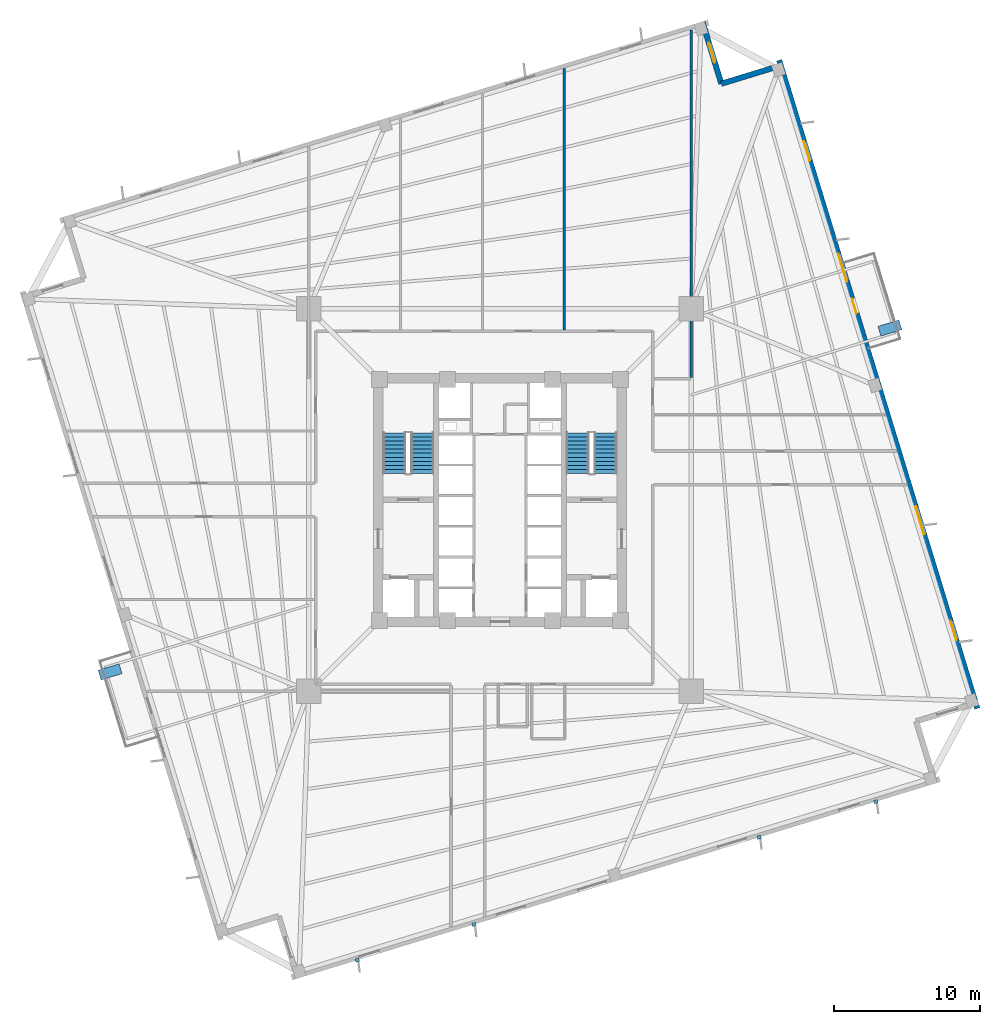
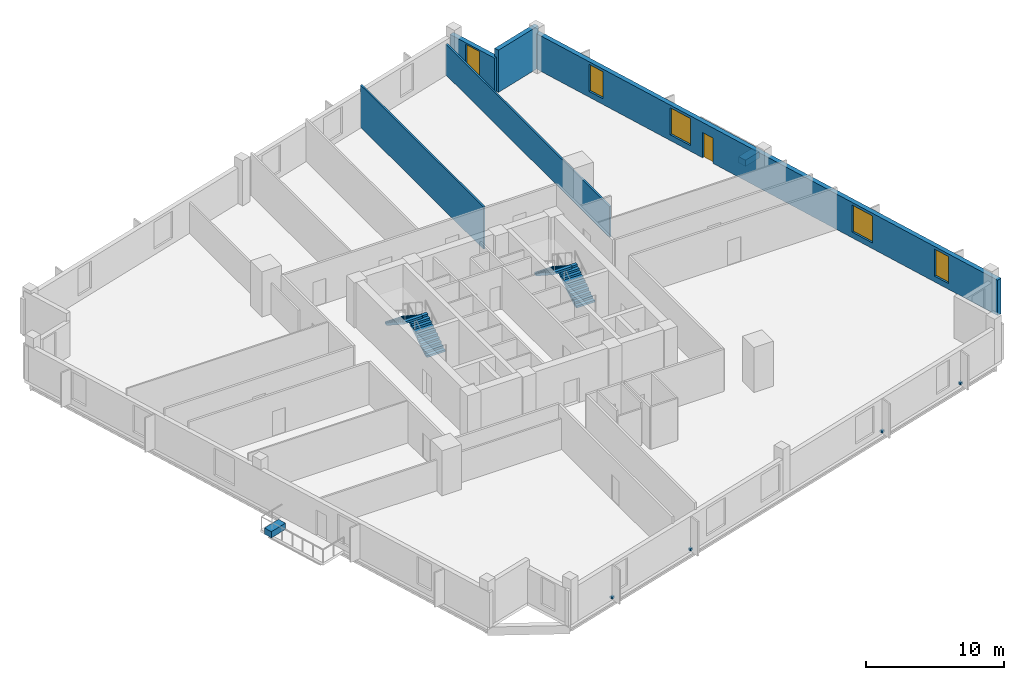
# One storey, part 6 of 9: 6 discrete accessories, 5 walls, 5 windows, 4 stair flights, 1 door, 6 openings, 2 elements without a shape of their own.
"""IFC4 building model written with IfcOpenShell, lengths in metres."""

from ifc_helpers import new_model, si_unit, direction, frame, frame_2d, origin, origin_2d, place, context, subcontext, project, spatial, polyline, rectangle, outline, extrude, source, transform, mapped, material, layer, layer_set, type_object, element, fill, aggregate, save


model = new_model("IFC4")

# Units and contexts
model_context = context("Model", 3, precision=1e-05, world=origin(), true_north=direction((0.0, 1.0)))
body_context = subcontext(model_context, "Body", "Model", "MODEL_VIEW")
ifc_project = project(units=[si_unit("LENGTHUNIT", "METRE"), si_unit("AREAUNIT", "SQUARE_METRE"), si_unit("VOLUMEUNIT", "CUBIC_METRE"), si_unit("PLANEANGLEUNIT", "RADIAN"), si_unit("MASSUNIT", "GRAM", prefix="KILO"), si_unit("THERMODYNAMICTEMPERATUREUNIT", "KELVIN")], contexts=[model_context])

# Site, building, storey
site_placement = place(None, origin())
site = spatial("IfcSite", under=ifc_project, at=site_placement, CompositionType="ELEMENT")
building_placement = place(site_placement, origin())
building = spatial("IfcBuilding", under=site, at=building_placement, Name="Kosmvard Interchange Tower", CompositionType="ELEMENT")
storey_placement = place(building_placement, frame((0.0, 0.0, 83.199951171875)))
storey = spatial("IfcBuildingStorey", under=building, at=storey_placement, Name="L19", CompositionType="ELEMENT", Elevation=83.199951171875)

# Walls
ifc_material_1 = material(Name="Acoustic gypsum partition system")
ifc_layer_1 = layer(ifc_material_1, 0.14990234375, Name="Acoustic gypsum partition system")
ifc_layer_set_1 = layer_set([ifc_layer_1], Name="Acoustic gypsum partition system")
wall_type_1 = type_object("IfcWallType", Name="Acoustic Suite & Meeting Partition 150", PredefinedType="PARTITIONING", material=ifc_layer_set_1)
wall_1_placement = place(storey_placement, frame((4.39990234375, 11.64501953125, 0.0), z_axis=(0.0, 0.0, 1.0), x_axis=(0.0, 1.0, 0.0)))
element("IfcWall", 1, at=wall_1_placement, inside=storey, type_object=wall_type_1, Name="L19 Room Partition 05.1", PredefinedType="PARTITIONING", context=body_context, shape_type="SweptSolid", body=[
    extrude(rectangle(XDim=17.865966796875, YDim=0.14990234375, at=frame_2d((8.93310546875, 0.0))), origin(), (0.0, 0.0, 1.0), 3.739990234375),
])
wall_2_placement = place(storey_placement, frame((13.0810546875, 8.375, 0.0), z_axis=(0.0, 0.0, 1.0), x_axis=(0.0, 1.0, 0.0)))
element("IfcWall", 2, at=wall_2_placement, inside=storey, type_object=wall_type_1, Name="L19 Room Partition 07.1", PredefinedType="PARTITIONING", context=body_context, shape_type="SweptSolid", body=[
    extrude(rectangle(XDim=23.7900390625, YDim=0.14990234375, at=frame_2d((11.89501953125, 0.0))), origin(), (0.0, 0.0, 1.0), 2.73193359375),
])

# Wall, openings, door, windows
ifc_material_2 = material(Name="Precast concrete C45/55", Category="concrete")
ifc_layer_2 = layer(ifc_material_2, 0.3798828125, Name="Precast concrete C45/55")
ifc_layer_set_2 = layer_set([ifc_layer_2], Name="Precast concrete C45/55")
wall_type_2 = type_object("IfcWallType", Name="Lower Tower Precast Pier Wall 380 C45/55", PredefinedType="STANDARD", material=ifc_layer_set_2)
wall_3_placement = place(storey_placement, frame((32.65771484375, -14.26513671875, 0.0), z_axis=(0.0, 0.0, 1.0), x_axis=(-0.292373127906, 0.956304320851, 0.0)))
wall_3 = element("IfcWall", 3, at=wall_3_placement, inside=storey, type_object=wall_type_2, Name="L19 Precast Facade Wall F-E", PredefinedType="STANDARD", context=body_context, shape_type="SweptSolid", body=[
    extrude(rectangle(XDim=46.380126953125, YDim=0.3798828125, at=frame_2d((23.18994140625, 0.0))), origin(), (0.0, 0.0, 1.0), 3.14013671875),
])
opening_1_placement = place(wall_3_placement, frame((28.264892578125, 0.0, 0.0)))
opening_1 = element("IfcOpeningElement", 4, at=opening_1_placement, cuts=wall_3, Name="Opening L19-BDE", PredefinedType="OPENING", context=body_context, shape_type="SweptSolid", body=[
    extrude(rectangle(XDim=1.050048828125, YDim=2.25, at=frame_2d((0.52490234375, 1.125))), frame((0.0, 0.199951171875, 0.0), z_axis=(0.0, -1.0, 0.0), x_axis=(1.0, 0.0, 0.0)), (0.0, 0.0, 1.0), 0.39990234375),
])
opening_2_placement = place(wall_3_placement, frame((4.865478515625, 0.0, 0.510009765625)))
opening_2 = element("IfcOpeningElement", 5, at=opening_2_placement, cuts=wall_3, Name="Opening L19-W06", PredefinedType="OPENING", context=body_context, shape_type="SweptSolid", body=[
    extrude(rectangle(XDim=1.39990234375, YDim=2.39990234375, at=frame_2d((0.699951171875, 1.199951171875))), frame((0.0, 0.199951171875, 0.0), z_axis=(0.0, -1.0, 0.0), x_axis=(1.0, 0.0, 0.0)), (0.0, 0.0, 1.0), 0.39990234375),
])
opening_3_placement = place(wall_3_placement, frame((12.4501953125, 0.0, 0.510009765625)))
opening_3 = element("IfcOpeningElement", 6, at=opening_3_placement, cuts=wall_3, Name="Opening L19-W07", PredefinedType="OPENING", context=body_context, shape_type="SweptSolid", body=[
    extrude(rectangle(XDim=2.0, YDim=2.39990234375, at=frame_2d((1.0, 1.199951171875))), frame((0.0, 0.199951171875, 0.0), z_axis=(0.0, -1.0, 0.0), x_axis=(1.0, 0.0, 0.0)), (0.0, 0.0, 1.0), 0.39990234375),
])
opening_4_placement = place(wall_3_placement, frame((30.538330078125, 0.0, 0.510009765625)))
opening_4 = element("IfcOpeningElement", 7, at=opening_4_placement, cuts=wall_3, Name="Opening L19-W08", PredefinedType="OPENING", context=body_context, shape_type="SweptSolid", body=[
    extrude(rectangle(XDim=2.0, YDim=2.39990234375, at=frame_2d((1.0, 1.199951171875))), frame((0.0, 0.199951171875, 0.0), z_axis=(0.0, -1.0, 0.0), x_axis=(1.0, 0.0, 0.0)), (0.0, 0.0, 1.0), 0.39990234375),
])
opening_5_placement = place(wall_3_placement, frame((39.186767578125, 0.0, 0.510009765625)))
opening_5 = element("IfcOpeningElement", 8, at=opening_5_placement, cuts=wall_3, Name="Opening L19-W09", PredefinedType="OPENING", context=body_context, shape_type="SweptSolid", body=[
    extrude(rectangle(XDim=1.39990234375, YDim=2.39990234375, at=frame_2d((0.699951171875, 1.199951171875))), frame((0.0, 0.199951171875, 0.0), z_axis=(0.0, -1.0, 0.0), x_axis=(1.0, 0.0, 0.0)), (0.0, 0.0, 1.0), 0.39990234375),
])
ifc_material_3 = material(Name="Anodised aluminium and safety glass", Category="aluminium")
door_type = type_object("IfcDoorType", Name="Tree-Balcony Glazed Door 1050x2250", OperationType="NOTDEFINED", PredefinedType="DOOR", material=ifc_material_3)
shared_shape_1 = source(origin(), body_context, "Body", "SweptSolid", [
    extrude(rectangle(XDim=1.050048828125, YDim=2.25, at=frame_2d((0.52490234375, 1.125))), frame((0.0, 0.02490234375, 0.0), z_axis=(0.0, -1.0, 0.0), x_axis=(1.0, 0.0, 0.0)), (0.0, 0.0, 1.0), 0.050048828125),
])
door_placement = place(opening_1_placement, origin())
door = element("IfcDoor", 9, at=door_placement, inside=storey, type_object=door_type, Name="L19 Tree-Balcony Door BAL-L19-E", OperationType="SINGLE_SWING_RIGHT", OverallHeight=2.25, OverallWidth=1.050048828125, PredefinedType="DOOR", context=body_context, shape_type="MappedRepresentation", body=[
    mapped(shared_shape_1, transform((0.0, 0.0, 0.0), scale=1.0)),
])
fill(opening_1, door)
ifc_material_4 = material(Name="Low-E solar-control double glazing", Category="glass")
window_type_1 = type_object("IfcWindowType", Name="Notched Corner Feature Window 1400x2400", PartitioningType="SINGLE_PANEL", PredefinedType="WINDOW", material=ifc_material_4)
shared_shape_2 = source(origin(), body_context, "Body", "SweptSolid", [
    extrude(rectangle(XDim=1.39990234375, YDim=2.39990234375, at=frame_2d((0.699951171875, 1.199951171875))), frame((0.0, 0.030029296875, 0.0), z_axis=(0.0, -1.0, 0.0), x_axis=(1.0, 0.0, 0.0)), (0.0, 0.0, 1.0), 0.06005859375),
])
window_1_placement = place(opening_2_placement, origin())
window_1 = element("IfcWindow", 10, at=window_1_placement, inside=storey, type_object=window_type_1, Name="L19 Facade Punched Window 06", OverallHeight=2.39990234375, OverallWidth=1.39990234375, PartitioningType="SINGLE_PANEL", PredefinedType="WINDOW", context=body_context, shape_type="MappedRepresentation", body=[
    mapped(shared_shape_2, transform((0.0, 0.0, 0.0), scale=1.0)),
])
fill(opening_2, window_1)
window_2_placement = place(opening_5_placement, origin())
window_2 = element("IfcWindow", 11, at=window_2_placement, inside=storey, type_object=window_type_1, Name="L19 Facade Punched Window 09", OverallHeight=2.39990234375, OverallWidth=1.39990234375, PartitioningType="SINGLE_PANEL", PredefinedType="WINDOW", context=body_context, shape_type="MappedRepresentation", body=[
    mapped(shared_shape_2, transform((0.0, 0.0, 0.0), scale=1.0)),
])
fill(opening_5, window_2)
window_type_2 = type_object("IfcWindowType", Name="Zone 2 Office Punched Window 2000x2400", PartitioningType="SINGLE_PANEL", PredefinedType="WINDOW", material=ifc_material_4)
shared_shape_3 = source(origin(), body_context, "Body", "SweptSolid", [
    extrude(rectangle(XDim=2.0, YDim=2.39990234375, at=frame_2d((1.0, 1.199951171875))), frame((0.0, 0.030029296875, 0.0), z_axis=(0.0, -1.0, 0.0), x_axis=(1.0, 0.0, 0.0)), (0.0, 0.0, 1.0), 0.06005859375),
])
window_3_placement = place(opening_3_placement, origin())
window_3 = element("IfcWindow", 12, at=window_3_placement, inside=storey, type_object=window_type_2, Name="L19 Facade Punched Window 07", OverallHeight=2.39990234375, OverallWidth=2.0, PartitioningType="SINGLE_PANEL", PredefinedType="WINDOW", context=body_context, shape_type="MappedRepresentation", body=[
    mapped(shared_shape_3, transform((0.0, 0.0, 0.0), scale=1.0)),
])
fill(opening_3, window_3)
window_4_placement = place(opening_4_placement, origin())
window_4 = element("IfcWindow", 13, at=window_4_placement, inside=storey, type_object=window_type_2, Name="L19 Facade Punched Window 08", OverallHeight=2.39990234375, OverallWidth=2.0, PartitioningType="SINGLE_PANEL", PredefinedType="WINDOW", context=body_context, shape_type="MappedRepresentation", body=[
    mapped(shared_shape_3, transform((0.0, 0.0, 0.0), scale=1.0)),
])
fill(opening_4, window_4)

# Wall
wall_4_placement = place(storey_placement, frame((19.20849609375, 29.724853515625, 0.0), z_axis=(0.0, 0.0, 1.0), x_axis=(-0.956312764915, -0.292345507338, 0.0)))
element("IfcWall", 14, at=wall_4_placement, inside=storey, type_object=wall_type_2, Name="L19 Precast Facade Wall N-NE1", PredefinedType="STANDARD", context=body_context, shape_type="SweptSolid", body=[
    extrude(rectangle(XDim=4.249755859375, YDim=0.3798828125, at=frame_2d((2.125, 0.0))), origin(), (0.0, 0.0, 1.0), 3.739990234375),
])

# Wall, opening, window
wall_5_placement = place(storey_placement, frame((15.144287109375, 28.482421875, 0.0), z_axis=(0.0, 0.0, 1.0), x_axis=(-0.292373601522, 0.956304176051, 0.0)))
wall_5 = element("IfcWall", 15, at=wall_5_placement, inside=storey, type_object=wall_type_2, Name="L19 Precast Facade Wall N-NE2", PredefinedType="STANDARD", context=body_context, shape_type="SweptSolid", body=[
    extrude(rectangle(XDim=4.43994140625, YDim=0.3798828125, at=frame_2d((2.219970703125, 0.0))), origin(), (0.0, 0.0, 1.0), 3.0400390625),
])
opening_6_placement = place(wall_5_placement, frame((1.52001953125, 0.0, 0.510009765625)))
opening_6 = element("IfcOpeningElement", 16, at=opening_6_placement, cuts=wall_5, Name="Opening L19-W21", PredefinedType="OPENING", context=body_context, shape_type="SweptSolid", body=[
    extrude(rectangle(XDim=1.39990234375, YDim=2.39990234375, at=frame_2d((0.699951171875, 1.199951171875))), frame((0.0, 0.199951171875, 0.0), z_axis=(0.0, -1.0, 0.0), x_axis=(1.0, 0.0, 0.0)), (0.0, 0.0, 1.0), 0.39990234375),
])
window_5_placement = place(opening_6_placement, origin())
window_5 = element("IfcWindow", 17, at=window_5_placement, inside=storey, type_object=window_type_1, Name="L19 Corner Notch Window 21", OverallHeight=2.39990234375, OverallWidth=1.39990234375, PartitioningType="SINGLE_PANEL", PredefinedType="WINDOW", context=body_context, shape_type="MappedRepresentation", body=[
    mapped(shared_shape_2, transform((0.0, 0.0, 0.0), scale=1.0)),
])
fill(opening_6, window_5)

# Stair, stair flights
ifc_material_5 = material(Name="Concrete C50/60", Category="concrete")
stair_type = type_object("IfcStairType", Name="Dog-Leg Core Exit Stair H4000 C50/60", PredefinedType="HALF_TURN_STAIR", material=ifc_material_5)
stair_1_placement = place(storey_placement, origin())
stair_1 = element("IfcStair", 18, at=stair_1_placement, inside=storey, type_object=stair_type, Name="L19 Protected Exit Stair ST-1", PredefinedType="HALF_TURN_STAIR")
stair_flight_type = type_object("IfcStairFlightType", Name="Core Stair Flight W1550 H4000 C50/60", PredefinedType="STRAIGHT", material=ifc_material_5)
shared_shape_4 = source(origin(), body_context, "Body", "SweptSolid", [
    extrude(outline(polyline([(0.0, 0.0), (0.0, 0.181884765625), (0.280029296875, 0.181884765625), (0.280029296875, 0.363525390625), (0.56005859375, 0.363525390625), (0.56005859375, 0.54541015625), (0.840087890625, 0.54541015625), (0.840087890625, 0.727294921875), (1.1201171875, 0.727294921875), (1.1201171875, 0.9091796875), (1.39990234375, 0.9091796875), (1.39990234375, 1.0908203125), (1.679931640625, 1.0908203125), (1.679931640625, 1.272705078125), (1.9599609375, 1.272705078125), (1.9599609375, 1.45458984375), (2.239990234375, 1.45458984375), (2.239990234375, 1.636474609375), (2.52001953125, 1.636474609375), (2.52001953125, 1.818115234375), (2.800048828125, 1.818115234375), (2.800048828125, 2.0), (2.800048828125, 1.62744140625), (0.293701171875, 0.0), (0.0, 0.0)])), frame((0.0, 0.77490234375, 0.0), z_axis=(0.0, -1.0, 0.0), x_axis=(1.0, 0.0, 0.0)), (0.0, 0.0, 1.0), 1.550048828125),
])
stair_flight_1_placement = place(storey_placement, frame((-5.31494140625, 1.800048828125, 0.0), z_axis=(0.0, 0.0, 1.0), x_axis=(0.0, 1.0, 0.0)))
stair_flight_1 = element("IfcStairFlight", 19, at=stair_flight_1_placement, type_object=stair_flight_type, Name="ST-1 flight 1", NumberOfRisers=11, NumberOfTreads=10, PredefinedType="STRAIGHT", RiserHeight=0.181818182, TreadLength=0.28, context=body_context, shape_type="MappedRepresentation", body=[
    mapped(shared_shape_4, transform((0.0, 0.0, 0.0), scale=1.0)),
])
stair_flight_2_placement = place(storey_placement, frame((-7.22509765625, 4.60009765625, 2.0), z_axis=(0.0, 0.0, 1.0), x_axis=(0.0, -1.0, 0.0)))
stair_flight_2 = element("IfcStairFlight", 20, at=stair_flight_2_placement, type_object=stair_flight_type, Name="ST-1 flight 2", NumberOfRisers=11, NumberOfTreads=10, PredefinedType="STRAIGHT", RiserHeight=0.181818182, TreadLength=0.28, context=body_context, shape_type="MappedRepresentation", body=[
    mapped(shared_shape_4, transform((0.0, 0.0, 0.0), scale=1.0)),
])
aggregate(stair_1, [stair_flight_1, stair_flight_2])

stair_2_placement = place(storey_placement, origin())
stair_2 = element("IfcStair", 21, at=stair_2_placement, inside=storey, type_object=stair_type, Name="L19 Protected Exit Stair ST-2", PredefinedType="HALF_TURN_STAIR")
stair_flight_3_placement = place(storey_placement, frame((7.22509765625, 1.800048828125, 0.0), z_axis=(0.0, 0.0, 1.0), x_axis=(0.0, 1.0, 0.0)))
stair_flight_3 = element("IfcStairFlight", 22, at=stair_flight_3_placement, type_object=stair_flight_type, Name="ST-2 flight 1", NumberOfRisers=11, NumberOfTreads=10, PredefinedType="STRAIGHT", RiserHeight=0.181818182, TreadLength=0.28, context=body_context, shape_type="MappedRepresentation", body=[
    mapped(shared_shape_4, transform((0.0, 0.0, 0.0), scale=1.0)),
])
stair_flight_4_placement = place(storey_placement, frame((5.31494140625, 4.60009765625, 2.0), z_axis=(0.0, 0.0, 1.0), x_axis=(0.0, -1.0, 0.0)))
stair_flight_4 = element("IfcStairFlight", 23, at=stair_flight_4_placement, type_object=stair_flight_type, Name="ST-2 flight 2", NumberOfRisers=11, NumberOfTreads=10, PredefinedType="STRAIGHT", RiserHeight=0.181818182, TreadLength=0.28, context=body_context, shape_type="MappedRepresentation", body=[
    mapped(shared_shape_4, transform((0.0, 0.0, 0.0), scale=1.0)),
])
aggregate(stair_2, [stair_flight_3, stair_flight_4])

# Discrete accessories
ifc_material_6 = material(Name="Terracotta precast planter concrete C45/55", Category="masonry")
discrete_accessory_type_1 = type_object("IfcDiscreteAccessoryType", Name="Precast Tree-Balcony & Terrace Planter Box", PredefinedType="USERDEFINED", material=ifc_material_6)
shared_shape_5 = source(origin(), body_context, "Body", "SweptSolid", [
    extrude(rectangle(XDim=1.5, YDim=0.699951171875, at=origin_2d()), origin(), (0.0, 0.0, 1.0), 0.550048828125),
])
for number, where, z_axis, x_axis, name in (
    (24, (26.67626953125, 11.763427734375, 0.0), (0.0, 0.0, 1.0), (0.956304755963, 0.292371704723, 0.0), "L19 Balcony Tree Planter BAL-L19-E"),
    (25, (-26.67626953125, -11.763427734375, 0.0), (0.0, 0.0, 1.0), (0.956304755963, 0.292371704723, 0.0), "L19 Balcony Tree Planter BAL-L19-W"),
):
    element("IfcDiscreteAccessory", number, at=place(storey_placement, frame(where, z_axis=z_axis, x_axis=x_axis)), inside=storey, type_object=discrete_accessory_type_1, Name=name, ObjectType="PLANTER", PredefinedType="USERDEFINED", context=body_context, shape_type="MappedRepresentation", body=[
        mapped(shared_shape_5, transform((0.0, 0.0, 0.0), scale=1.0)),
    ])
ifc_material_7 = material(Name="Steel S355", Category="steel")
discrete_accessory_type_2 = type_object("IfcDiscreteAccessoryType", Name="Facade Fin Structural Cleat Bracket", PredefinedType="BRACKET", material=ifc_material_7)
shared_shape_6 = source(origin(), body_context, "Body", "SweptSolid", [
    extrude(rectangle(XDim=0.239990234375, YDim=0.260009765625, at=origin_2d()), origin(), (0.0, 0.0, 1.0), 0.179931640625),
])
for number, where, z_axis, x_axis, name in (
    (26, (-9.774169921875, -31.4833984375, 0.16015625), (0.0, 0.0, 1.0), (0.29237190653, -0.956304694264, 0.0), "L19 Sun-Breaker Anchor Bracket 01"),
    (27, (-1.79052734375, -29.04248046875, 0.16015625), (0.0, 0.0, 1.0), (0.29237190653, -0.956304694264, 0.0), "L19 Sun-Breaker Anchor Bracket 02"),
    (28, (17.724853515625, -23.076171875, 0.16015625), (0.0, 0.0, 1.0), (0.29237190653, -0.956304694264, 0.0), "L19 Sun-Breaker Anchor Bracket 03"),
    (29, (25.70849609375, -20.63525390625, 0.16015625), (0.0, 0.0, 1.0), (0.29237190653, -0.956304694264, 0.0), "L19 Sun-Breaker Anchor Bracket 04"),
):
    element("IfcDiscreteAccessory", number, at=place(storey_placement, frame(where, z_axis=z_axis, x_axis=x_axis)), inside=storey, type_object=discrete_accessory_type_2, Name=name, PredefinedType="BRACKET", context=body_context, shape_type="MappedRepresentation", body=[
        mapped(shared_shape_6, transform((0.0, 0.0, 0.0), scale=1.0)),
    ])

save(model, "model.ifc")
